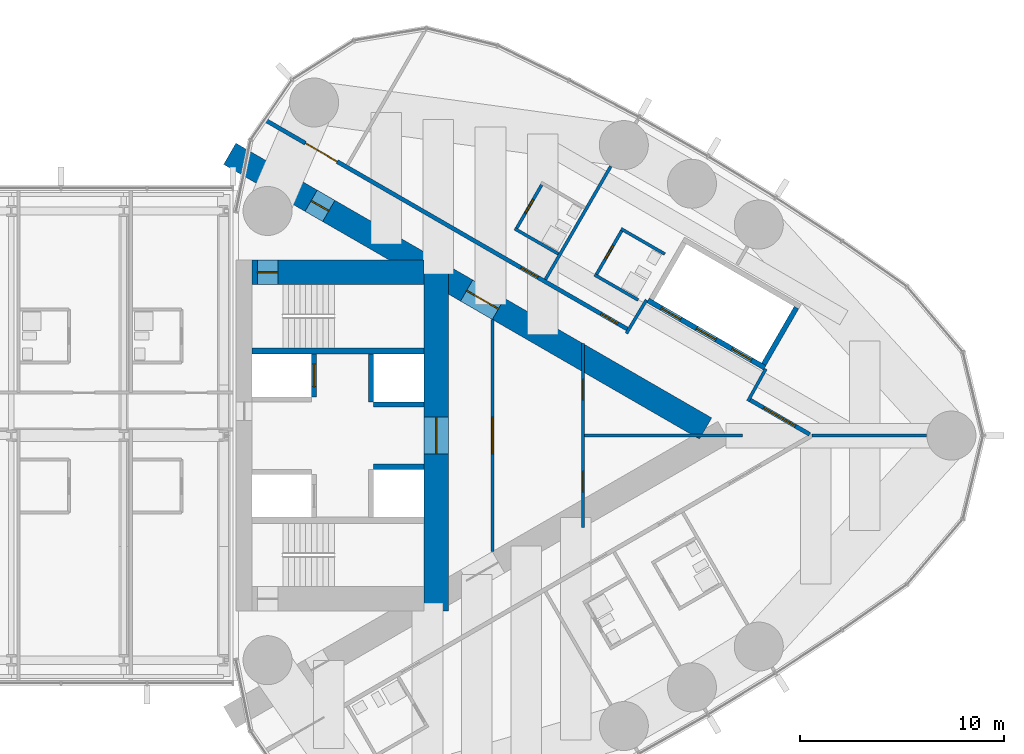
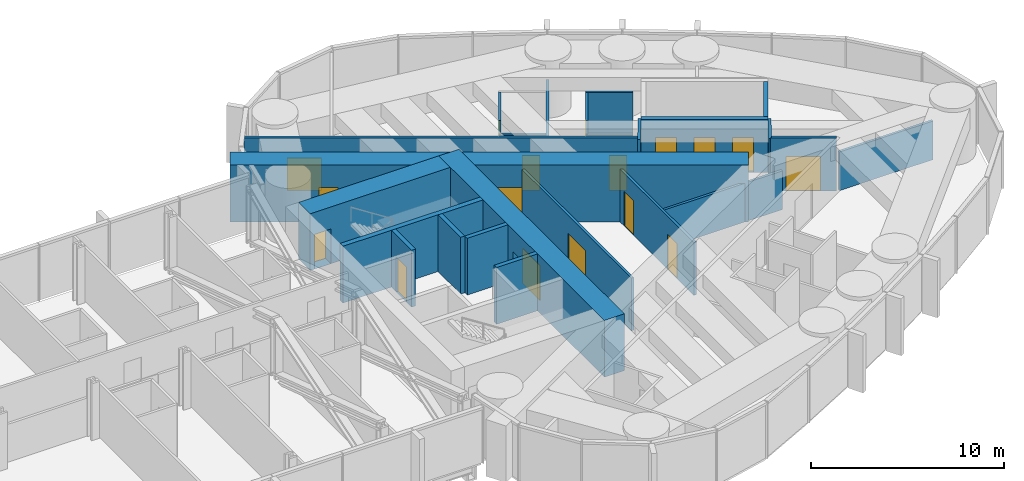
# One storey, part 20 of 24: 24 walls, 17 doors, 17 openings.
"""IFC4 building model written with IfcOpenShell, lengths in metres."""

from ifc_helpers import new_model, si_unit, direction, frame, frame_2d, origin, place, context, subcontext, project, spatial, rectangle, extrude, material, layer, layer_set, type_object, element, fill, save


model = new_model("IFC4")

# Units and contexts
model_context = context("Model", 3, precision=1e-05, world=origin(), true_north=direction((0.0, 1.0)))
body_context = subcontext(model_context, "Body", "Model", "MODEL_VIEW")
ifc_project = project(units=[si_unit("LENGTHUNIT", "METRE"), si_unit("AREAUNIT", "SQUARE_METRE"), si_unit("VOLUMEUNIT", "CUBIC_METRE"), si_unit("PLANEANGLEUNIT", "RADIAN"), si_unit("MASSUNIT", "GRAM", prefix="KILO")], contexts=[model_context])

# Site, building, storey
site_placement = place(None, origin())
site = spatial("IfcSite", under=ifc_project, at=site_placement, CompositionType="ELEMENT")
building_placement = place(site_placement, origin())
building = spatial("IfcBuilding", under=site, at=building_placement, Name="Lancet Gate Hotel", CompositionType="ELEMENT")
storey_placement = place(building_placement, frame((0.0, 0.0, 244.10009765625)))
storey = spatial("IfcBuildingStorey", under=building, at=storey_placement, Name="L65", CompositionType="ELEMENT", Elevation=244.10009765625)

# Wall
ifc_material_1 = material(Name="Moisture resistant board partition")
ifc_layer_1 = layer(ifc_material_1, 0.14990234375)
ifc_layer_set_1 = layer_set([ifc_layer_1], Name="Bathroom wall 150")
wall_type_1 = type_object("IfcWallType", Name="Bathroom wall 150", PredefinedType="PARTITIONING", material=ifc_layer_set_1)
wall_1_placement = place(storey_placement, frame((46.362060546875, 10.126953125, 0.0), z_axis=(0.0, 0.0, 1.0), x_axis=(0.866006523861, -0.500032699561, 0.0)))
element("IfcWall", 1, at=wall_1_placement, inside=storey, type_object=wall_type_1, Name="T2 bathroom wall 150 L65", PredefinedType="PARTITIONING", context=body_context, shape_type="SweptSolid", body=[
    extrude(rectangle(XDim=2.474853515625, YDim=0.14990234375, at=frame_2d((1.2373046875, 0.0))), origin(), (0.0, 0.0, 1.0), 3.349853515625),
])

# Wall, opening, door
wall_2_placement = place(storey_placement, frame((45.126953125, 7.837646484375, 0.0), z_axis=(0.0, 0.0, 1.0), x_axis=(0.500006934395, 0.866021400173, 0.0)))
wall_2 = element("IfcWall", 2, at=wall_2_placement, inside=storey, type_object=wall_type_1, Name="T2 bathroom wall 150 L65", PredefinedType="PARTITIONING", context=body_context, shape_type="SweptSolid", body=[
    extrude(rectangle(XDim=2.60009765625, YDim=0.14990234375, at=frame_2d((1.300048828125, 0.0))), origin(), (0.0, 0.0, 1.0), 3.349853515625),
])
opening_1_placement = place(wall_2_placement, frame((0.89990234375, 0.0, 0.0)))
opening_1 = element("IfcOpeningElement", 3, at=opening_1_placement, cuts=wall_2, Name="Opening 6558-B", PredefinedType="OPENING", context=body_context, shape_type="SweptSolid", body=[
    extrude(rectangle(XDim=0.800048828125, YDim=2.199951171875, at=frame_2d((0.39990234375, 1.10009765625))), frame((0.0, 0.0849609375, 0.0), z_axis=(0.0, -1.0, 0.0), x_axis=(1.0, 0.0, 0.0)), (0.0, 0.0, 1.0), 0.169921875),
])
ifc_material_2 = material(Name="Timber door set", Category="wood")
door_type_1 = type_object("IfcDoorType", Name="Bathroom door 800", OperationType="SINGLE_SWING_RIGHT", PredefinedType="DOOR", material=ifc_material_2)
door_1_placement = place(opening_1_placement, origin())
door_1 = element("IfcDoor", 4, at=door_1_placement, inside=storey, type_object=door_type_1, Name="6558-B", OperationType="SINGLE_SWING_RIGHT", OverallHeight=2.199951171875, OverallWidth=0.800048828125, PredefinedType="DOOR", context=body_context, shape_type="SweptSolid", body=[
    extrude(rectangle(XDim=0.800048828125, YDim=2.199951171875, at=frame_2d((0.39990234375, 1.10009765625))), frame((0.0, 0.02490234375, 0.0), z_axis=(0.0, -1.0, 0.0), x_axis=(1.0, 0.0, 0.0)), (0.0, 0.0, 1.0), 0.050048828125),
])
fill(opening_1, door_1)

# Wall
wall_3_placement = place(storey_placement, frame((45.06201171875, 7.875244140625, 0.0), z_axis=(0.0, 0.0, 1.0), x_axis=(0.866031185235, -0.4999899861, 0.0)))
element("IfcWall", 5, at=wall_3_placement, inside=storey, type_object=wall_type_1, Name="T2 bathroom wall 150 L65", PredefinedType="PARTITIONING", context=body_context, shape_type="SweptSolid", body=[
    extrude(rectangle(XDim=2.47509765625, YDim=0.14990234375, at=frame_2d((1.237548828125, 0.0))), origin(), (0.0, 0.0, 1.0), 2.5),
])

# Wall, opening, door
wall_4_placement = place(storey_placement, frame((41.21630859375, 10.095458984375, 0.0), z_axis=(0.0, 0.0, 1.0), x_axis=(0.499936506574, 0.866062058628, 0.0)))
wall_4 = element("IfcWall", 6, at=wall_4_placement, inside=storey, type_object=wall_type_1, Name="T2 bathroom wall 150 L65", PredefinedType="PARTITIONING", context=body_context, shape_type="SweptSolid", body=[
    extrude(rectangle(XDim=2.599853515625, YDim=0.14990234375, at=frame_2d((1.2998046875, 0.0))), origin(), (0.0, 0.0, 1.0), 3.349853515625),
])
opening_2_placement = place(wall_4_placement, frame((0.89990234375, 0.0, 0.0)))
opening_2 = element("IfcOpeningElement", 7, at=opening_2_placement, cuts=wall_4, Name="Opening 6559-B", PredefinedType="OPENING", context=body_context, shape_type="SweptSolid", body=[
    extrude(rectangle(XDim=0.800048828125, YDim=2.199951171875, at=frame_2d((0.39990234375, 1.10009765625))), frame((0.0, 0.0849609375, 0.0), z_axis=(0.0, -1.0, 0.0), x_axis=(1.0, 0.0, 0.0)), (0.0, 0.0, 1.0), 0.169921875),
])
door_2_placement = place(opening_2_placement, origin())
door_2 = element("IfcDoor", 8, at=door_2_placement, inside=storey, type_object=door_type_1, Name="6559-B", OperationType="SINGLE_SWING_RIGHT", OverallHeight=2.199951171875, OverallWidth=0.800048828125, PredefinedType="DOOR", context=body_context, shape_type="SweptSolid", body=[
    extrude(rectangle(XDim=0.800048828125, YDim=2.199951171875, at=frame_2d((0.39990234375, 1.10009765625))), frame((0.0, 0.02490234375, 0.0), z_axis=(0.0, -1.0, 0.0), x_axis=(1.0, 0.0, 0.0)), (0.0, 0.0, 1.0), 0.050048828125),
])
fill(opening_2, door_2)

# Wall
wall_5_placement = place(storey_placement, frame((41.1513671875, 10.133056640625, 0.0), z_axis=(0.0, 0.0, 1.0), x_axis=(0.866006523861, -0.500032699561, 0.0)))
element("IfcWall", 9, at=wall_5_placement, inside=storey, type_object=wall_type_1, Name="T2 bathroom wall 150 L65", PredefinedType="PARTITIONING", context=body_context, shape_type="SweptSolid", body=[
    extrude(rectangle(XDim=2.474853515625, YDim=0.14990234375, at=frame_2d((1.2373046875, 0.0))), origin(), (0.0, 0.0, 1.0), 2.5),
])

# Wall, openings, doors
ifc_material_3 = material(Name="Concrete C70/85", Category="concrete")
ifc_layer_2 = layer(ifc_material_3, 1.199951171875)
ifc_layer_set_2 = layer_set([ifc_layer_2], Name="Buttress wall 1200")
wall_type_2 = type_object("IfcWallType", Name="Buttress wall 1200", PredefinedType="SHEAR", material=ifc_layer_set_2)
wall_6_placement = place(storey_placement, frame((27.199951171875, 13.800048828125, 0.0), z_axis=(0.0, 0.0, 1.0), x_axis=(0.866024515034, -0.500001539357, 0.0)))
wall_6 = element("IfcWall", 10, at=wall_6_placement, inside=storey, type_object=wall_type_2, Name="T2 buttress wall N L65", PredefinedType="SHEAR", context=body_context, shape_type="SweptSolid", body=[
    extrude(rectangle(XDim=26.9072265625, YDim=1.199951171875, at=frame_2d((13.45361328125, 0.0))), origin(), (0.0, 0.0, 1.0), 3.599853515625),
])
opening_3_placement = place(wall_6_placement, frame((4.60009765625, 0.0, 0.0)))
opening_3 = element("IfcOpeningElement", 11, at=opening_3_placement, cuts=wall_6, Name="Opening T2-L65-LN", PredefinedType="OPENING", context=body_context, shape_type="SweptSolid", body=[
    extrude(rectangle(XDim=1.0, YDim=2.199951171875, at=frame_2d((0.5, 1.10009765625))), frame((0.0, 0.60986328125, 0.0), z_axis=(0.0, -1.0, 0.0), x_axis=(1.0, 0.0, 0.0)), (0.0, 0.0, 1.0), 1.219970703125),
])
opening_4_placement = place(wall_6_placement, frame((13.39453125, 0.0, 0.0)))
opening_4 = element("IfcOpeningElement", 12, at=opening_4_placement, cuts=wall_6, Name="Opening T2-L65-LHN", PredefinedType="OPENING", context=body_context, shape_type="SweptSolid", body=[
    extrude(rectangle(XDim=1.800048828125, YDim=2.199951171875, at=frame_2d((0.89990234375, 1.10009765625))), frame((0.0, 0.60986328125, 0.0), z_axis=(0.0, -1.0, 0.0), x_axis=(1.0, 0.0, 0.0)), (0.0, 0.0, 1.0), 1.219970703125),
])
ifc_material_4 = material(Name="Timber door set", Category="wood")
door_type_2 = type_object("IfcDoorType", Name="Lobby double door 1800", OperationType="DOUBLE_DOOR_SINGLE_SWING", PredefinedType="DOOR", material=ifc_material_4)
door_3_placement = place(opening_4_placement, origin())
door_3 = element("IfcDoor", 13, at=door_3_placement, inside=storey, type_object=door_type_2, Name="T2-L65-LHN", OperationType="DOUBLE_DOOR_SINGLE_SWING", OverallHeight=2.199951171875, OverallWidth=1.800048828125, PredefinedType="DOOR", context=body_context, shape_type="SweptSolid", body=[
    extrude(rectangle(XDim=1.800048828125, YDim=2.199951171875, at=frame_2d((0.89990234375, 1.10009765625))), frame((0.0, 0.02490234375, 0.0), z_axis=(0.0, -1.0, 0.0), x_axis=(1.0, 0.0, 0.0)), (0.0, 0.0, 1.0), 0.050048828125),
])
fill(opening_4, door_3)
ifc_material_5 = material(Name="Timber door set", Category="wood")
door_type_3 = type_object("IfcDoorType", Name="Stair lobby door 1000", OperationType="SINGLE_SWING_LEFT", PredefinedType="DOOR", material=ifc_material_5)
door_4_placement = place(opening_3_placement, origin())
door_4 = element("IfcDoor", 14, at=door_4_placement, inside=storey, type_object=door_type_3, Name="T2-L65-LN", OperationType="SINGLE_SWING_LEFT", OverallHeight=2.199951171875, OverallWidth=1.0, PredefinedType="DOOR", context=body_context, shape_type="SweptSolid", body=[
    extrude(rectangle(XDim=1.0, YDim=2.199951171875, at=frame_2d((0.5, 1.10009765625))), frame((0.0, 0.02490234375, 0.0), z_axis=(0.0, -1.0, 0.0), x_axis=(1.0, 0.0, 0.0)), (0.0, 0.0, 1.0), 0.050048828125),
])
fill(opening_3, door_4)

# Wall, opening, door
ifc_material_6 = material(Name="Concrete C70/85", Category="concrete")
ifc_layer_3 = layer(ifc_material_6, 1.199951171875)
ifc_layer_set_3 = layer_set([ifc_layer_3], Name="Core wall 1200")
wall_type_3 = type_object("IfcWallType", Name="Core wall 1200", PredefinedType="SHEAR", material=ifc_layer_set_3)
wall_7_placement = place(storey_placement, frame((37.300048828125, -8.60009765625, 0.0), z_axis=(0.0, 0.0, 1.0), x_axis=(0.0, 1.0, 0.0)))
wall_7 = element("IfcWall", 15, at=wall_7_placement, inside=storey, type_object=wall_type_3, Name="T2 core wall back L65", PredefinedType="SHEAR", context=body_context, shape_type="SweptSolid", body=[
    extrude(rectangle(XDim=17.2001953125, YDim=1.199951171875, at=frame_2d((8.60009765625, 0.0))), origin(), (0.0, 0.0, 1.0), 3.599853515625),
])
opening_5_placement = place(wall_7_placement, frame((7.699951171875, 0.0, 0.0)))
opening_5 = element("IfcOpeningElement", 16, at=opening_5_placement, cuts=wall_7, Name="Opening T2-L65-LL", PredefinedType="OPENING", context=body_context, shape_type="SweptSolid", body=[
    extrude(rectangle(XDim=1.800048828125, YDim=2.199951171875, at=frame_2d((0.89990234375, 1.10009765625))), frame((0.0, 0.60986328125, 0.0), z_axis=(0.0, -1.0, 0.0), x_axis=(1.0, 0.0, 0.0)), (0.0, 0.0, 1.0), 1.219970703125),
])
door_5_placement = place(opening_5_placement, origin())
door_5 = element("IfcDoor", 17, at=door_5_placement, inside=storey, type_object=door_type_2, Name="T2-L65-LL", OperationType="DOUBLE_DOOR_SINGLE_SWING", OverallHeight=2.199951171875, OverallWidth=1.800048828125, PredefinedType="DOOR", context=body_context, shape_type="SweptSolid", body=[
    extrude(rectangle(XDim=1.800048828125, YDim=2.199951171875, at=frame_2d((0.89990234375, 1.10009765625))), frame((0.0, 0.02490234375, 0.0), z_axis=(0.0, -1.0, 0.0), x_axis=(1.0, 0.0, 0.0)), (0.0, 0.0, 1.0), 0.050048828125),
])
fill(opening_5, door_5)

wall_8_placement = place(storey_placement, frame((28.300048828125, 8.0, 0.0), z_axis=(0.0, 0.0, 1.0), x_axis=(1.0, 0.0, 0.0)))
wall_8 = element("IfcWall", 18, at=wall_8_placement, inside=storey, type_object=wall_type_3, Name="T2 core wall side-N L65", PredefinedType="SHEAR", context=body_context, shape_type="SweptSolid", body=[
    extrude(rectangle(XDim=8.39990234375, YDim=1.199951171875, at=frame_2d((4.199951171875, 0.0))), origin(), (0.0, 0.0, 1.0), 3.599853515625),
])
opening_6_placement = place(wall_8_placement, frame((0.25, 0.0, 0.0)))
opening_6 = element("IfcOpeningElement", 19, at=opening_6_placement, cuts=wall_8, Name="Opening T2-L65-ST2", PredefinedType="OPENING", context=body_context, shape_type="SweptSolid", body=[
    extrude(rectangle(XDim=1.0, YDim=2.199951171875, at=frame_2d((0.5, 1.10009765625))), frame((0.0, 0.60986328125, 0.0), z_axis=(0.0, -1.0, 0.0), x_axis=(1.0, 0.0, 0.0)), (0.0, 0.0, 1.0), 1.219970703125),
])
ifc_material_7 = material(Name="Timber door set", Category="wood")
door_type_4 = type_object("IfcDoorType", Name="Stair door 1000", OperationType="SINGLE_SWING_RIGHT", PredefinedType="DOOR", material=ifc_material_7)
door_6_placement = place(opening_6_placement, origin())
door_6 = element("IfcDoor", 20, at=door_6_placement, inside=storey, type_object=door_type_4, Name="T2-L65-ST2", OperationType="SINGLE_SWING_RIGHT", OverallHeight=2.199951171875, OverallWidth=1.0, PredefinedType="DOOR", context=body_context, shape_type="SweptSolid", body=[
    extrude(rectangle(XDim=1.0, YDim=2.199951171875, at=frame_2d((0.5, 1.10009765625))), frame((0.0, 0.02490234375, 0.0), z_axis=(0.0, -1.0, 0.0), x_axis=(1.0, 0.0, 0.0)), (0.0, 0.0, 1.0), 0.050048828125),
])
fill(opening_6, door_6)

# Wall, openings, doors
ifc_material_8 = material(Name="Gypsum board partition")
ifc_layer_4 = layer(ifc_material_8, 0.199951171875)
ifc_layer_set_4 = layer_set([ifc_layer_4], Name="Corridor wall 200")
wall_type_4 = type_object("IfcWallType", Name="Corridor wall 200", PredefinedType="PARTITIONING", material=ifc_layer_set_4)
wall_9_placement = place(storey_placement, frame((28.958984375, 15.440185546875, 0.0), z_axis=(0.0, 0.0, 1.0), x_axis=(0.866028936079, -0.499993881836, 0.0)))
wall_9 = element("IfcWall", 21, at=wall_9_placement, inside=storey, type_object=wall_type_4, Name="T2 corridor wall 200 L65", PredefinedType="PARTITIONING", context=body_context, shape_type="SweptSolid", body=[
    extrude(rectangle(XDim=20.503173828125, YDim=0.199951171875, at=frame_2d((10.25146484375, 0.0))), origin(), (0.0, 0.0, 1.0), 3.349853515625),
])
opening_7_placement = place(wall_9_placement, frame((18.953125, 0.0, 0.0)))
opening_7 = element("IfcOpeningElement", 22, at=opening_7_placement, cuts=wall_9, Name="Opening 6558-E", PredefinedType="OPENING", context=body_context, shape_type="SweptSolid", body=[
    extrude(rectangle(XDim=0.949951171875, YDim=2.199951171875, at=frame_2d((0.47509765625, 1.10009765625))), frame((0.0, 0.10986328125, 0.0), z_axis=(0.0, -1.0, 0.0), x_axis=(1.0, 0.0, 0.0)), (0.0, 0.0, 1.0), 0.219970703125),
])
opening_8_placement = place(wall_9_placement, frame((14.437255859375, 0.0, 0.0)))
opening_8 = element("IfcOpeningElement", 23, at=opening_8_placement, cuts=wall_9, Name="Opening 6559-E", PredefinedType="OPENING", context=body_context, shape_type="SweptSolid", body=[
    extrude(rectangle(XDim=0.949951171875, YDim=2.199951171875, at=frame_2d((0.47509765625, 1.10009765625))), frame((0.0, 0.10986328125, 0.0), z_axis=(0.0, -1.0, 0.0), x_axis=(1.0, 0.0, 0.0)), (0.0, 0.0, 1.0), 0.219970703125),
])
opening_9_placement = place(wall_9_placement, frame((2.243896484375, 0.0, 0.0)))
opening_9 = element("IfcOpeningElement", 24, at=opening_9_placement, cuts=wall_9, Name="Opening 6560-E", PredefinedType="OPENING", context=body_context, shape_type="SweptSolid", body=[
    extrude(rectangle(XDim=1.800048828125, YDim=2.0400390625, at=frame_2d((0.89990234375, 1.02001953125))), frame((0.0, 0.10986328125, 0.0), z_axis=(0.0, -1.0, 0.0), x_axis=(1.0, 0.0, 0.0)), (0.0, 0.0, 1.0), 0.219970703125),
])
ifc_material_9 = material(Name="Timber door set", Category="wood")
door_type_5 = type_object("IfcDoorType", Name="Double door 1800, 2040 high", OperationType="DOUBLE_DOOR_SINGLE_SWING", PredefinedType="DOOR", material=ifc_material_9)
door_7_placement = place(opening_9_placement, origin())
door_7 = element("IfcDoor", 25, at=door_7_placement, inside=storey, type_object=door_type_5, Name="6560-E", OperationType="DOUBLE_DOOR_SINGLE_SWING", OverallHeight=2.0400390625, OverallWidth=1.800048828125, PredefinedType="DOOR", context=body_context, shape_type="SweptSolid", body=[
    extrude(rectangle(XDim=1.800048828125, YDim=2.0400390625, at=frame_2d((0.89990234375, 1.02001953125))), frame((0.0, 0.02490234375, 0.0), z_axis=(0.0, -1.0, 0.0), x_axis=(1.0, 0.0, 0.0)), (0.0, 0.0, 1.0), 0.050048828125),
])
fill(opening_9, door_7)
ifc_material_10 = material(Name="Timber door set", Category="wood")
door_type_6 = type_object("IfcDoorType", Name="Guest room entry door 950", OperationType="SINGLE_SWING_LEFT", PredefinedType="DOOR", material=ifc_material_10)
door_8_placement = place(opening_7_placement, origin())
door_8 = element("IfcDoor", 26, at=door_8_placement, inside=storey, type_object=door_type_6, Name="6558-E", OperationType="SINGLE_SWING_LEFT", OverallHeight=2.199951171875, OverallWidth=0.949951171875, PredefinedType="DOOR", context=body_context, shape_type="SweptSolid", body=[
    extrude(rectangle(XDim=0.949951171875, YDim=2.199951171875, at=frame_2d((0.47509765625, 1.10009765625))), frame((0.0, 0.02490234375, 0.0), z_axis=(0.0, -1.0, 0.0), x_axis=(1.0, 0.0, 0.0)), (0.0, 0.0, 1.0), 0.050048828125),
])
fill(opening_7, door_8)
door_9_placement = place(opening_8_placement, origin())
door_9 = element("IfcDoor", 27, at=door_9_placement, inside=storey, type_object=door_type_6, Name="6559-E", OperationType="SINGLE_SWING_LEFT", OverallHeight=2.199951171875, OverallWidth=0.949951171875, PredefinedType="DOOR", context=body_context, shape_type="SweptSolid", body=[
    extrude(rectangle(XDim=0.949951171875, YDim=2.199951171875, at=frame_2d((0.47509765625, 1.10009765625))), frame((0.0, 0.02490234375, 0.0), z_axis=(0.0, -1.0, 0.0), x_axis=(1.0, 0.0, 0.0)), (0.0, 0.0, 1.0), 0.050048828125),
])
fill(opening_8, door_9)

# Wall, opening, door
wall_10_placement = place(storey_placement, frame((52.63916015625, 1.7685546875, 0.0), z_axis=(0.0, 0.0, 1.0), x_axis=(0.866027340901, -0.4999966448, 0.0)))
wall_10 = element("IfcWall", 28, at=wall_10_placement, inside=storey, type_object=wall_type_4, Name="T2 corridor wall 200 L65", PredefinedType="PARTITIONING", context=body_context, shape_type="SweptSolid", body=[
    extrude(rectangle(XDim=3.4169921875, YDim=0.199951171875, at=frame_2d((1.70849609375, 0.0))), origin(), (0.0, 0.0, 1.0), 3.349853515625),
])
opening_10_placement = place(wall_10_placement, frame((0.80859375, 0.0, 0.0)))
opening_10 = element("IfcOpeningElement", 29, at=opening_10_placement, cuts=wall_10, Name="Opening 6556-E", PredefinedType="OPENING", context=body_context, shape_type="SweptSolid", body=[
    extrude(rectangle(XDim=1.800048828125, YDim=2.199951171875, at=frame_2d((0.89990234375, 1.10009765625))), frame((0.0, 0.10986328125, 0.0), z_axis=(0.0, -1.0, 0.0), x_axis=(1.0, 0.0, 0.0)), (0.0, 0.0, 1.0), 0.219970703125),
])
ifc_material_11 = material(Name="Timber door set", Category="wood")
door_type_7 = type_object("IfcDoorType", Name="Double door 1800", OperationType="DOUBLE_DOOR_SINGLE_SWING", PredefinedType="DOOR", material=ifc_material_11)
door_10_placement = place(opening_10_placement, origin())
door_10 = element("IfcDoor", 30, at=door_10_placement, inside=storey, type_object=door_type_7, Name="6556-E", OperationType="DOUBLE_DOOR_SINGLE_SWING", OverallHeight=2.199951171875, OverallWidth=1.800048828125, PredefinedType="DOOR", context=body_context, shape_type="SweptSolid", body=[
    extrude(rectangle(XDim=1.800048828125, YDim=2.199951171875, at=frame_2d((0.89990234375, 1.10009765625))), frame((0.0, 0.02490234375, 0.0), z_axis=(0.0, -1.0, 0.0), x_axis=(1.0, 0.0, 0.0)), (0.0, 0.0, 1.0), 0.050048828125),
])
fill(opening_10, door_10)

# Wall, openings, doors
ifc_material_12 = material(Name="Gypsum board partition")
ifc_layer_5 = layer(ifc_material_12, 0.25)
ifc_layer_set_5 = layer_set([ifc_layer_5], Name="Lift shaft partition 250")
wall_type_5 = type_object("IfcWallType", Name="Lift shaft partition 250", PredefinedType="PARTITIONING", material=ifc_layer_set_5)
wall_11_placement = place(storey_placement, frame((47.681396484375, 6.622314453125, 0.0), z_axis=(0.0, 0.0, 1.0), x_axis=(0.86603344179, -0.499986077507, 0.0)))
wall_11 = element("IfcWall", 31, at=wall_11_placement, inside=storey, type_object=wall_type_5, Name="T2 lift shaft wall HL L65", PredefinedType="PARTITIONING", context=body_context, shape_type="SweptSolid", body=[
    extrude(rectangle(XDim=6.600341796875, YDim=0.25, at=frame_2d((3.30029296875, 0.0))), origin(), (0.0, 0.0, 1.0), 3.349853515625),
])
opening_11_placement = place(wall_11_placement, frame((0.75, 0.0, 0.0)))
opening_11 = element("IfcOpeningElement", 32, at=opening_11_placement, cuts=wall_11, Name="Opening T2-HL1-L65", PredefinedType="OPENING", context=body_context, shape_type="SweptSolid", body=[
    extrude(rectangle(XDim=1.10009765625, YDim=2.199951171875, at=frame_2d((0.550048828125, 1.10009765625))), frame((0.0, 0.135009765625, 0.0), z_axis=(0.0, -1.0, 0.0), x_axis=(1.0, 0.0, 0.0)), (0.0, 0.0, 1.0), 0.27001953125),
])
opening_12_placement = place(wall_11_placement, frame((2.75, 0.0, 0.0)))
opening_12 = element("IfcOpeningElement", 33, at=opening_12_placement, cuts=wall_11, Name="Opening T2-HL2-L65", PredefinedType="OPENING", context=body_context, shape_type="SweptSolid", body=[
    extrude(rectangle(XDim=1.10009765625, YDim=2.199951171875, at=frame_2d((0.550048828125, 1.10009765625))), frame((0.0, 0.135009765625, 0.0), z_axis=(0.0, -1.0, 0.0), x_axis=(1.0, 0.0, 0.0)), (0.0, 0.0, 1.0), 0.27001953125),
])
opening_13_placement = place(wall_11_placement, frame((4.75, 0.0, 0.0)))
opening_13 = element("IfcOpeningElement", 34, at=opening_13_placement, cuts=wall_11, Name="Opening T2-HL3-L65", PredefinedType="OPENING", context=body_context, shape_type="SweptSolid", body=[
    extrude(rectangle(XDim=1.10009765625, YDim=2.199951171875, at=frame_2d((0.550048828125, 1.10009765625))), frame((0.0, 0.135009765625, 0.0), z_axis=(0.0, -1.0, 0.0), x_axis=(1.0, 0.0, 0.0)), (0.0, 0.0, 1.0), 0.27001953125),
])
ifc_material_13 = material(Name="Steel door set", Category="steel")
door_type_8 = type_object("IfcDoorType", Name="Lift landing door 1100", OperationType="DOUBLE_DOOR_SLIDING", PredefinedType="USERDEFINED", material=ifc_material_13)
door_11_placement = place(opening_11_placement, origin())
door_11 = element("IfcDoor", 35, at=door_11_placement, inside=storey, type_object=door_type_8, Name="T2-HL1-L65", ObjectType="LIFT LANDING DOOR", OperationType="DOUBLE_DOOR_SLIDING", OverallHeight=2.199951171875, OverallWidth=1.10009765625, PredefinedType="USERDEFINED", context=body_context, shape_type="SweptSolid", body=[
    extrude(rectangle(XDim=1.10009765625, YDim=2.199951171875, at=frame_2d((0.550048828125, 1.10009765625))), frame((0.0, 0.02490234375, 0.0), z_axis=(0.0, -1.0, 0.0), x_axis=(1.0, 0.0, 0.0)), (0.0, 0.0, 1.0), 0.050048828125),
])
fill(opening_11, door_11)
door_12_placement = place(opening_12_placement, origin())
door_12 = element("IfcDoor", 36, at=door_12_placement, inside=storey, type_object=door_type_8, Name="T2-HL2-L65", ObjectType="LIFT LANDING DOOR", OperationType="DOUBLE_DOOR_SLIDING", OverallHeight=2.199951171875, OverallWidth=1.10009765625, PredefinedType="USERDEFINED", context=body_context, shape_type="SweptSolid", body=[
    extrude(rectangle(XDim=1.10009765625, YDim=2.199951171875, at=frame_2d((0.550048828125, 1.10009765625))), frame((0.0, 0.02490234375, 0.0), z_axis=(0.0, -1.0, 0.0), x_axis=(1.0, 0.0, 0.0)), (0.0, 0.0, 1.0), 0.050048828125),
])
fill(opening_12, door_12)
door_13_placement = place(opening_13_placement, origin())
door_13 = element("IfcDoor", 37, at=door_13_placement, inside=storey, type_object=door_type_8, Name="T2-HL3-L65", ObjectType="LIFT LANDING DOOR", OperationType="DOUBLE_DOOR_SLIDING", OverallHeight=2.199951171875, OverallWidth=1.10009765625, PredefinedType="USERDEFINED", context=body_context, shape_type="SweptSolid", body=[
    extrude(rectangle(XDim=1.10009765625, YDim=2.199951171875, at=frame_2d((0.550048828125, 1.10009765625))), frame((0.0, 0.02490234375, 0.0), z_axis=(0.0, -1.0, 0.0), x_axis=(1.0, 0.0, 0.0)), (0.0, 0.0, 1.0), 0.050048828125),
])
fill(opening_13, door_13)

# Walls
wall_12_placement = place(storey_placement, frame((53.351806640625, 3.492919921875, 0.0), z_axis=(0.0, 0.0, 1.0), x_axis=(0.499872130319, 0.866099216793, 0.0)))
element("IfcWall", 38, at=wall_12_placement, inside=storey, type_object=wall_type_5, Name="T2 lift shaft wall HL L65", PredefinedType="PARTITIONING", context=body_context, shape_type="SweptSolid", body=[
    extrude(rectangle(XDim=3.200439453125, YDim=0.25, at=frame_2d((1.60009765625, 0.0))), origin(), (0.0, 0.0, 1.0), 3.349853515625),
])
ifc_material_14 = material(Name="Concrete C50/60", Category="concrete")
ifc_layer_6 = layer(ifc_material_14, 0.25)
ifc_layer_set_6 = layer_set([ifc_layer_6], Name="Lift shaft wall 250")
wall_type_6 = type_object("IfcWallType", Name="Lift shaft wall 250", PredefinedType="SHEAR", material=ifc_layer_set_6)
wall_13_placement = place(storey_placement, frame((34.25, -1.52490234375, 0.0), z_axis=(0.0, 0.0, 1.0), x_axis=(1.0, 0.0, 0.0)))
element("IfcWall", 39, at=wall_13_placement, inside=storey, type_object=wall_type_6, Name="T2 core wall pass2-S L65", PredefinedType="SHEAR", context=body_context, shape_type="SweptSolid", body=[
    extrude(rectangle(XDim=2.449951171875, YDim=0.25, at=frame_2d((1.22509765625, 0.0))), origin(), (0.0, 0.0, 1.0), 3.599853515625),
])

# Wall, opening, door
wall_14_placement = place(storey_placement, frame((31.324951171875, 1.89990234375, 0.0), z_axis=(0.0, 0.0, 1.0), x_axis=(0.0, 1.0, 0.0)))
wall_14 = element("IfcWall", 40, at=wall_14_placement, inside=storey, type_object=wall_type_6, Name="T2 core wall row1-N L65", PredefinedType="SHEAR", context=body_context, shape_type="SweptSolid", body=[
    extrude(rectangle(XDim=2.10009765625, YDim=0.25, at=frame_2d((1.050048828125, 0.0))), origin(), (0.0, 0.0, 1.0), 3.599853515625),
])
opening_14_placement = place(wall_14_placement, frame((0.5, 0.0, 0.0)))
opening_14 = element("IfcOpeningElement", 41, at=opening_14_placement, cuts=wall_14, Name="Opening T2-FL2-L65", PredefinedType="OPENING", context=body_context, shape_type="SweptSolid", body=[
    extrude(rectangle(XDim=1.10009765625, YDim=2.199951171875, at=frame_2d((0.550048828125, 1.10009765625))), frame((0.0, 0.135009765625, 0.0), z_axis=(0.0, -1.0, 0.0), x_axis=(1.0, 0.0, 0.0)), (0.0, 0.0, 1.0), 0.27001953125),
])
ifc_material_15 = material(Name="Steel door set", Category="steel")
door_type_9 = type_object("IfcDoorType", Name="Firefighting lift landing door 1100", OperationType="SLIDING_TO_LEFT", PredefinedType="USERDEFINED", material=ifc_material_15)
door_14_placement = place(opening_14_placement, origin())
door_14 = element("IfcDoor", 42, at=door_14_placement, inside=storey, type_object=door_type_9, Name="T2-FL2-L65", ObjectType="LIFT LANDING DOOR", OperationType="SLIDING_TO_LEFT", OverallHeight=2.199951171875, OverallWidth=1.10009765625, PredefinedType="USERDEFINED", context=body_context, shape_type="SweptSolid", body=[
    extrude(rectangle(XDim=1.10009765625, YDim=2.199951171875, at=frame_2d((0.550048828125, 1.10009765625))), frame((0.0, 0.02490234375, 0.0), z_axis=(0.0, -1.0, 0.0), x_axis=(1.0, 0.0, 0.0)), (0.0, 0.0, 1.0), 0.050048828125),
])
fill(opening_14, door_14)

# Walls
wall_15_placement = place(storey_placement, frame((34.125, 1.64990234375, 0.0), z_axis=(0.0, 0.0, 1.0), x_axis=(0.0, 1.0, 0.0)))
element("IfcWall", 43, at=wall_15_placement, inside=storey, type_object=wall_type_6, Name="T2 core wall row2-N L65", PredefinedType="SHEAR", context=body_context, shape_type="SweptSolid", body=[
    extrude(rectangle(XDim=2.35009765625, YDim=0.25, at=frame_2d((1.175048828125, 0.0))), origin(), (0.0, 0.0, 1.0), 3.599853515625),
])
wall_16_placement = place(storey_placement, frame((34.25, 1.52490234375, 0.0), z_axis=(0.0, 0.0, 1.0), x_axis=(1.0, 0.0, 0.0)))
element("IfcWall", 44, at=wall_16_placement, inside=storey, type_object=wall_type_6, Name="T2 core wall pass2-N L65", PredefinedType="SHEAR", context=body_context, shape_type="SweptSolid", body=[
    extrude(rectangle(XDim=2.449951171875, YDim=0.25, at=frame_2d((1.22509765625, 0.0))), origin(), (0.0, 0.0, 1.0), 3.599853515625),
])
ifc_material_16 = material(Name="Gypsum board partition")
ifc_layer_7 = layer(ifc_material_16, 0.14990234375)
ifc_layer_set_7 = layer_set([ifc_layer_7], Name="Party wall 150")
wall_type_7 = type_object("IfcWallType", Name="Party wall 150", PredefinedType="PARTITIONING", material=ifc_layer_set_7)
wall_17_placement = place(storey_placement, frame((42.65966796875, 7.6455078125, 0.0), z_axis=(0.0, 0.0, 1.0), x_axis=(0.499996592859, 0.866027370889, 0.0)))
element("IfcWall", 45, at=wall_17_placement, inside=storey, type_object=wall_type_7, Name="T2 party wall 150 L65", PredefinedType="PARTITIONING", context=body_context, shape_type="SweptSolid", body=[
    extrude(rectangle(XDim=6.3984375, YDim=0.14990234375, at=frame_2d((3.19921875, 0.0))), origin(), (0.0, 0.0, 1.0), 2.449951171875),
])
wall_18_placement = place(storey_placement, frame((55.7021484375, 0.0, 0.0), z_axis=(0.0, 0.0, 1.0), x_axis=(1.0, 0.0, 0.0)))
element("IfcWall", 46, at=wall_18_placement, inside=storey, type_object=wall_type_7, Name="T2 party wall 150 L65", PredefinedType="PARTITIONING", context=body_context, shape_type="SweptSolid", body=[
    extrude(rectangle(XDim=5.619384765625, YDim=0.14990234375, at=frame_2d((2.8095703125, 0.0))), origin(), (0.0, 0.0, 1.0), 2.449951171875),
])
ifc_material_17 = material(Name="Gypsum board partition")
ifc_layer_8 = layer(ifc_material_17, 0.14990234375)
ifc_layer_set_8 = layer_set([ifc_layer_8], Name="Service room wall 150")
wall_type_8 = type_object("IfcWallType", Name="Service room wall 150", PredefinedType="PARTITIONING", material=ifc_layer_set_8)
wall_19_placement = place(storey_placement, frame((47.6064453125, 6.642333984375, 0.0), z_axis=(0.0, 0.0, 1.0), x_axis=(-0.51353662755, -0.858067673418, 0.0)))
element("IfcWall", 47, at=wall_19_placement, inside=storey, type_object=wall_type_8, Name="T2 service room wall 150 L65", PredefinedType="PARTITIONING", context=body_context, shape_type="SweptSolid", body=[
    extrude(rectangle(XDim=1.90966796875, YDim=0.14990234375, at=frame_2d((0.954833984375, 0.0))), origin(), (0.0, 0.0, 1.0), 3.349853515625),
])
wall_20_placement = place(storey_placement, frame((52.576171875, 1.689453125, 0.0), z_axis=(0.0, 0.0, 1.0), x_axis=(0.485482130951, 0.874246590229, 0.0)))
element("IfcWall", 48, at=wall_20_placement, inside=storey, type_object=wall_type_8, Name="T2 service room wall 150 L65", PredefinedType="PARTITIONING", context=body_context, shape_type="SweptSolid", body=[
    extrude(rectangle(XDim=1.804931640625, YDim=0.14990234375, at=frame_2d((0.90234375, 0.0))), origin(), (0.0, 0.0, 1.0), 3.349853515625),
])

# Wall, opening, door
wall_21_placement = place(storey_placement, frame((40.074951171875, -5.673828125, 0.0), z_axis=(0.0, 0.0, 1.0), x_axis=(0.0, 1.0, 0.0)))
wall_21 = element("IfcWall", 49, at=wall_21_placement, inside=storey, type_object=wall_type_8, Name="T2 service room wall 150 L65", PredefinedType="PARTITIONING", context=body_context, shape_type="SweptSolid", body=[
    extrude(rectangle(XDim=11.34765625, YDim=0.14990234375, at=frame_2d((5.673828125, 0.0))), origin(), (0.0, 0.0, 1.0), 3.349853515625),
])
opening_15_placement = place(wall_21_placement, frame((4.773681640625, 0.0, 0.0)))
opening_15 = element("IfcOpeningElement", 50, at=opening_15_placement, cuts=wall_21, Name="Opening T2-L65-LH", PredefinedType="OPENING", context=body_context, shape_type="SweptSolid", body=[
    extrude(rectangle(XDim=1.800048828125, YDim=2.199951171875, at=frame_2d((0.89990234375, 1.10009765625))), frame((0.0, 0.0849609375, 0.0), z_axis=(0.0, -1.0, 0.0), x_axis=(1.0, 0.0, 0.0)), (0.0, 0.0, 1.0), 0.169921875),
])
door_15_placement = place(opening_15_placement, origin())
door_15 = element("IfcDoor", 51, at=door_15_placement, inside=storey, type_object=door_type_2, Name="T2-L65-LH", OperationType="DOUBLE_DOOR_SINGLE_SWING", OverallHeight=2.199951171875, OverallWidth=1.800048828125, PredefinedType="DOOR", context=body_context, shape_type="SweptSolid", body=[
    extrude(rectangle(XDim=1.800048828125, YDim=2.199951171875, at=frame_2d((0.89990234375, 1.10009765625))), frame((0.0, 0.02490234375, 0.0), z_axis=(0.0, -1.0, 0.0), x_axis=(1.0, 0.0, 0.0)), (0.0, 0.0, 1.0), 0.050048828125),
])
fill(opening_15, door_15)

# Wall, openings, doors
wall_22_placement = place(storey_placement, frame((44.5, -4.504638671875, 0.0), z_axis=(0.0, 0.0, 1.0), x_axis=(0.0, 1.0, 0.0)))
wall_22 = element("IfcWall", 52, at=wall_22_placement, inside=storey, type_object=wall_type_8, Name="T2 service room wall 150 L65", PredefinedType="PARTITIONING", context=body_context, shape_type="SweptSolid", body=[
    extrude(rectangle(XDim=9.00927734375, YDim=0.14990234375, at=frame_2d((4.504638671875, 0.0))), origin(), (0.0, 0.0, 1.0), 3.349853515625),
])
opening_16_placement = place(wall_22_placement, frame((1.752197265625, 0.0, 0.0)))
opening_16 = element("IfcOpeningElement", 53, at=opening_16_placement, cuts=wall_22, Name="Opening T2-L65-SV", PredefinedType="OPENING", context=body_context, shape_type="SweptSolid", body=[
    extrude(rectangle(XDim=1.0, YDim=2.199951171875, at=frame_2d((0.5, 1.10009765625))), frame((0.0, 0.0849609375, 0.0), z_axis=(0.0, -1.0, 0.0), x_axis=(1.0, 0.0, 0.0)), (0.0, 0.0, 1.0), 0.169921875),
])
opening_17_placement = place(wall_22_placement, frame((6.2568359375, 0.0, 0.0)))
opening_17 = element("IfcOpeningElement", 54, at=opening_17_placement, cuts=wall_22, Name="Opening T2-L65-SV2", PredefinedType="OPENING", context=body_context, shape_type="SweptSolid", body=[
    extrude(rectangle(XDim=1.0, YDim=2.199951171875, at=frame_2d((0.5, 1.10009765625))), frame((0.0, 0.0849609375, 0.0), z_axis=(0.0, -1.0, 0.0), x_axis=(1.0, 0.0, 0.0)), (0.0, 0.0, 1.0), 0.169921875),
])
ifc_material_18 = material(Name="Timber door set", Category="wood")
door_type_10 = type_object("IfcDoorType", Name="Service door 1000", OperationType="SINGLE_SWING_LEFT", PredefinedType="DOOR", material=ifc_material_18)
door_16_placement = place(opening_16_placement, origin())
door_16 = element("IfcDoor", 55, at=door_16_placement, inside=storey, type_object=door_type_10, Name="T2-L65-SV", OperationType="SINGLE_SWING_LEFT", OverallHeight=2.199951171875, OverallWidth=1.0, PredefinedType="DOOR", context=body_context, shape_type="SweptSolid", body=[
    extrude(rectangle(XDim=1.0, YDim=2.199951171875, at=frame_2d((0.5, 1.10009765625))), frame((0.0, 0.02490234375, 0.0), z_axis=(0.0, -1.0, 0.0), x_axis=(1.0, 0.0, 0.0)), (0.0, 0.0, 1.0), 0.050048828125),
])
fill(opening_16, door_16)
door_17_placement = place(opening_17_placement, origin())
door_17 = element("IfcDoor", 56, at=door_17_placement, inside=storey, type_object=door_type_10, Name="T2-L65-SV2", OperationType="SINGLE_SWING_LEFT", OverallHeight=2.199951171875, OverallWidth=1.0, PredefinedType="DOOR", context=body_context, shape_type="SweptSolid", body=[
    extrude(rectangle(XDim=1.0, YDim=2.199951171875, at=frame_2d((0.5, 1.10009765625))), frame((0.0, 0.02490234375, 0.0), z_axis=(0.0, -1.0, 0.0), x_axis=(1.0, 0.0, 0.0)), (0.0, 0.0, 1.0), 0.050048828125),
])
fill(opening_17, door_17)

# Walls
wall_23_placement = place(storey_placement, frame((44.574951171875, 0.0, 0.0), z_axis=(0.0, 0.0, 1.0), x_axis=(1.0, 0.0, 0.0)))
element("IfcWall", 57, at=wall_23_placement, inside=storey, type_object=wall_type_8, Name="T2 service room wall 150 L65", PredefinedType="PARTITIONING", context=body_context, shape_type="SweptSolid", body=[
    extrude(rectangle(XDim=7.727294921875, YDim=0.14990234375, at=frame_2d((3.86376953125, 0.0))), origin(), (0.0, 0.0, 1.0), 2.449951171875),
])
ifc_material_19 = material(Name="Concrete C50/60", Category="concrete")
ifc_layer_9 = layer(ifc_material_19, 0.300048828125)
ifc_layer_set_9 = layer_set([ifc_layer_9], Name="Stair enclosure wall 300")
wall_type_9 = type_object("IfcWallType", Name="Stair enclosure wall 300", PredefinedType="SHEAR", material=ifc_layer_set_9)
wall_24_placement = place(storey_placement, frame((28.300048828125, 4.14990234375, 0.0), z_axis=(0.0, 0.0, 1.0), x_axis=(1.0, 0.0, 0.0)))
element("IfcWall", 58, at=wall_24_placement, inside=storey, type_object=wall_type_9, Name="T2 core wall stair-N L65", PredefinedType="SHEAR", context=body_context, shape_type="SweptSolid", body=[
    extrude(rectangle(XDim=8.39990234375, YDim=0.300048828125, at=frame_2d((4.199951171875, 0.0))), origin(), (0.0, 0.0, 1.0), 3.599853515625),
])

save(model, "model.ifc")
